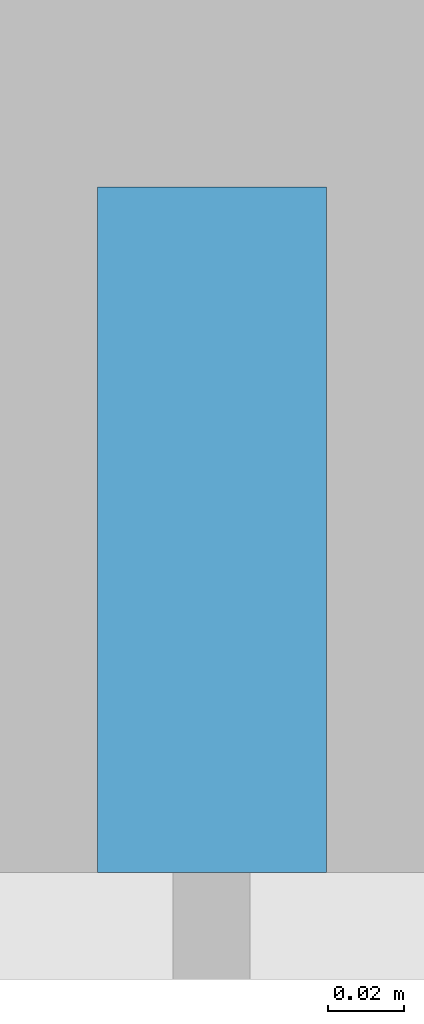
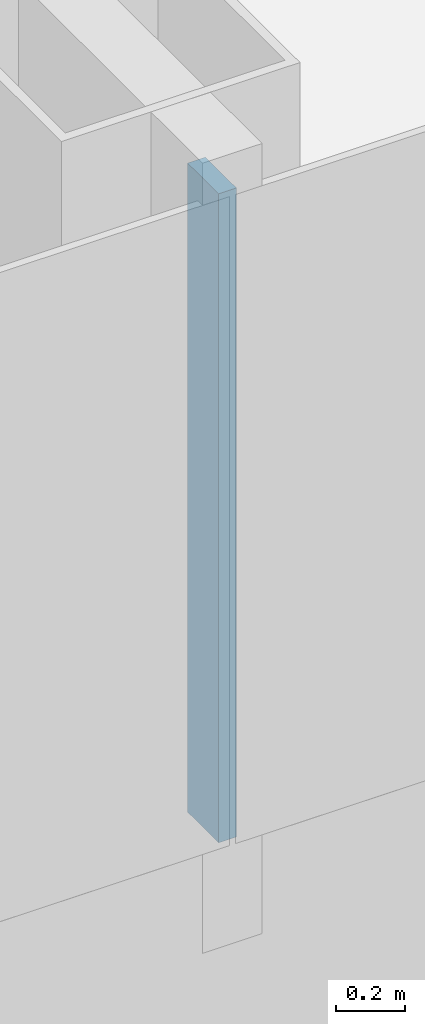
# One storey, part 4 of 29: 1 member, 1 element without a shape of its own.
"""IFC4 building model written with IfcOpenShell, lengths in metres."""

from ifc_helpers import new_model, si_unit, direction, frame, origin, origin_2d, place, context, subcontext, project, spatial, rectangle, extrude, material, layer, layer_set, material_profile, profile_set, type_object, element, aggregate, save


model = new_model("IFC4")

# Units and contexts
model_context = context("Model", 3, precision=1e-05, world=origin(), true_north=direction((0.0, 1.0)))
body_context = subcontext(model_context, "Body", "Model", "MODEL_VIEW")
ifc_project = project(units=[si_unit("LENGTHUNIT", "METRE"), si_unit("AREAUNIT", "SQUARE_METRE"), si_unit("VOLUMEUNIT", "CUBIC_METRE"), si_unit("PLANEANGLEUNIT", "RADIAN"), si_unit("MASSUNIT", "GRAM", prefix="KILO")], contexts=[model_context])

# Site, building, storey
site_placement = place(None, origin())
site = spatial("IfcSite", under=ifc_project, at=site_placement, CompositionType="ELEMENT")
building_placement = place(site_placement, origin())
building = spatial("IfcBuilding", under=site, at=building_placement, Name="Hakoniwa Tower and Hamabe Station Hall", CompositionType="ELEMENT")
storey_placement = place(building_placement, frame((0.0, 0.0, 101.0)))
storey = spatial("IfcBuildingStorey", under=building, at=storey_placement, Name="L28", CompositionType="ELEMENT", Elevation=101.0)

# Curtain wall, member
ifc_material_1 = material(Name="Dark low-e laminated glass", Category="glass")
ifc_layer = layer(ifc_material_1, 0.199951171875)
ifc_layer_set = layer_set([ifc_layer], Name="CW-1 UNITISED GUEST")
curtain_wall_type = type_object("IfcCurtainWallType", Name="CW-1 UNITISED GUEST", PredefinedType="NOTDEFINED", material=ifc_layer_set)
curtain_wall_placement = place(storey_placement, origin())
curtain_wall = element("IfcCurtainWall", 1, at=curtain_wall_placement, inside=storey, type_object=curtain_wall_type, Name="CW-1 curtain wall", PredefinedType="NOTDEFINED")
ifc_material_2 = material(Name="Aluminium 6063-T5 black anodised", Category="aluminium")
ifc_material_profile = material_profile(ifc_material_2, rectangle(XDim=0.06005859375, YDim=0.179931640625, at=origin_2d()), Name="CW-1 MULLION 60X180")
ifc_profile_set = profile_set([ifc_material_profile], Name="Aluminium 6063-T5 black anodised")
member_type = type_object("IfcMemberType", Name="CW-1 MULLION 60X180", PredefinedType="MULLION", material=ifc_profile_set)
member_placement = place(storey_placement, frame((-8.39990234375, -15.431884765625, 0.35009765625), z_axis=(0.0, 0.0, 1.0), x_axis=(1.0, 0.0, 0.0)))
member = element("IfcMember", 2, at=member_placement, type_object=member_type, Name="CW-1 mullion", PredefinedType="MULLION", context=body_context, shape_type="SweptSolid", body=[
    extrude(rectangle(XDim=0.06005859375, YDim=0.179931640625, at=origin_2d()), origin(), (0.0, 0.0, 1.0), 2.2998046875),
])
aggregate(curtain_wall, [member])

save(model, "model.ifc")
